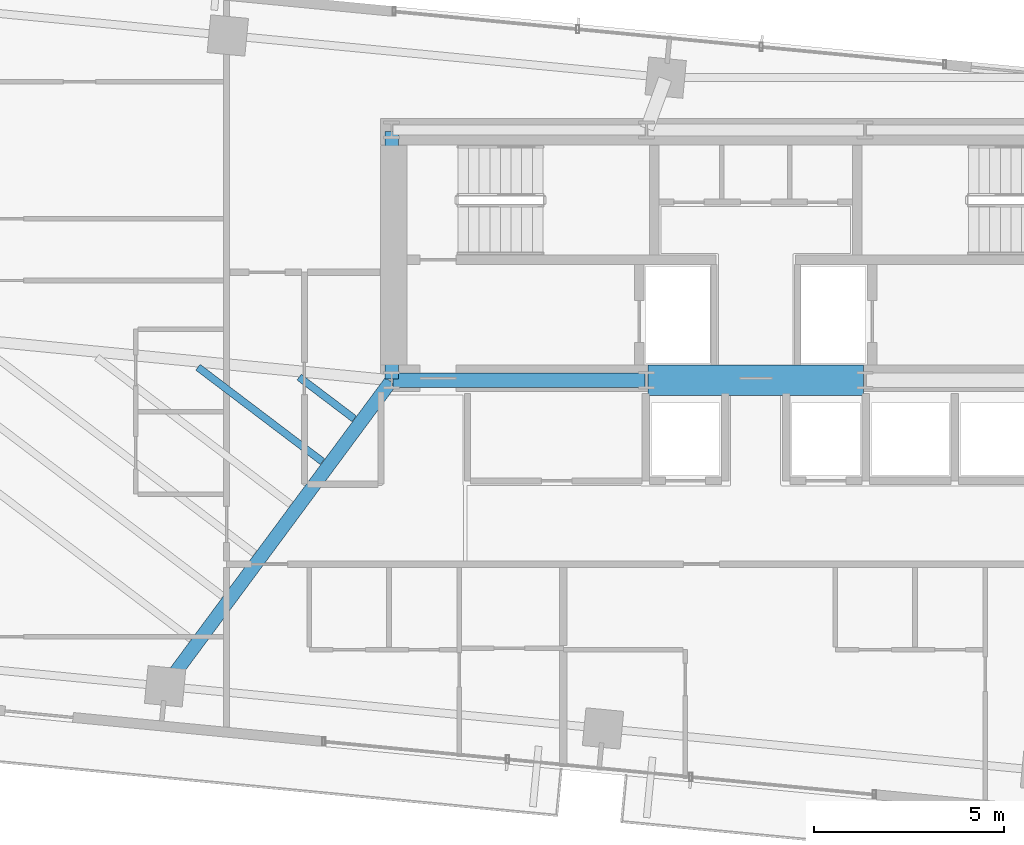
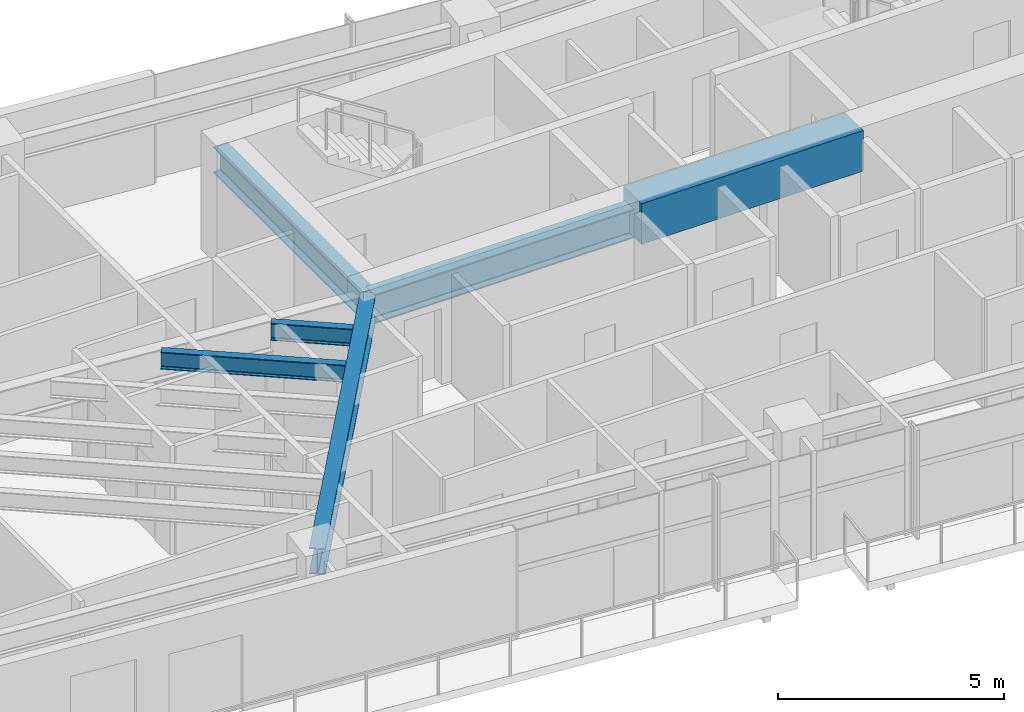
# One storey, part 5 of 19: 6 beams.
"""IFC4 building model written with IfcOpenShell, lengths in metres."""

from ifc_helpers import new_model, si_unit, direction, frame, origin, origin_2d, place, context, subcontext, project, spatial, rectangle, i_section, extrude, source, transform, mapped, material, material_profile, profile_set, type_object, type_shapes, element, save


model = new_model("IFC4")

# Units and contexts
model_context = context("Model", 3, precision=1e-05, world=origin(), true_north=direction((0.0, 1.0)))
body_context = subcontext(model_context, "Body", "Model", "MODEL_VIEW")
ifc_project = project(units=[si_unit("LENGTHUNIT", "METRE"), si_unit("AREAUNIT", "SQUARE_METRE"), si_unit("VOLUMEUNIT", "CUBIC_METRE"), si_unit("PLANEANGLEUNIT", "RADIAN"), si_unit("MASSUNIT", "GRAM", prefix="KILO")], contexts=[model_context])

# Site, building, storey
site_placement = place(None, origin())
site = spatial("IfcSite", under=ifc_project, at=site_placement, CompositionType="ELEMENT")
building_placement = place(site_placement, origin())
building = spatial("IfcBuilding", under=site, at=building_placement, Name="Astriad Promenade Condominiums", CompositionType="ELEMENT")
storey_placement = place(building_placement, frame((0.0, 0.0, 124.60009765625)))
storey = spatial("IfcBuildingStorey", under=building, at=storey_placement, Name="L35", CompositionType="ELEMENT", Elevation=124.60009765625)

# Beams
ifc_material_1 = material(Name="Steel ASTM A992 Grade 50", Category="steel")
ifc_material_profile_1 = material_profile(ifc_material_1, i_section(OverallWidth=0.3837890625, OverallDepth=0.785888671875, WebThickness=0.019775390625, FlangeThickness=0.033447265625, FilletRadius=0.021484375, at=origin_2d()), Name="W30X211")
ifc_profile_set_1 = profile_set([ifc_material_profile_1], Name="Steel ASTM A992 Grade 50")
beam_type_1 = type_object("IfcBeamType", Name="STEEL FLOOR GIRDER W30X211", PredefinedType="BEAM", material=ifc_profile_set_1)
shared_shape_1 = source(origin(), body_context, "Body", "SweptSolid", [
    extrude(i_section(OverallWidth=0.3837890625, OverallDepth=0.785888671875, WebThickness=0.019775390625, FlangeThickness=0.033447265625, FilletRadius=0.021484375, at=origin_2d()), origin(), (0.0, 0.0, 1.0), 6.64013671875),
])
type_shapes(beam_type_1, [shared_shape_1])
beam_1_placement = place(storey_placement, frame((26.43994140625, 17.39990234375, 2.547119140625), z_axis=(1.0, 0.0, 0.0), x_axis=(0.0, 1.0, 0.0)))
element("IfcBeam", 1, at=beam_1_placement, inside=storey, type_object=beam_type_1, Name="Core Ring Beam CG-S1-L35", PredefinedType="BEAM", context=body_context, shape_type="MappedRepresentation", body=[
    mapped(shared_shape_1, transform((0.0, 0.0, 0.0), scale=1.0)),
])
ifc_material_2 = material(Name="Concrete C80/95", Category="concrete")
ifc_material_profile_2 = material_profile(ifc_material_2, rectangle(XDim=0.800048828125, YDim=1.10009765625, at=origin_2d()), Name="RC-BM-800X1100")
ifc_profile_set_2 = profile_set([ifc_material_profile_2], Name="Concrete C80/95")
beam_type_2 = type_object("IfcBeamType", Name="CONCRETE CORE COUPLING LINTEL 800X1100", PredefinedType="LINTEL", material=ifc_profile_set_2)
shared_shape_2 = source(origin(), body_context, "Body", "SweptSolid", [
    extrude(rectangle(XDim=0.800048828125, YDim=1.10009765625, at=origin_2d()), origin(), (0.0, 0.0, 1.0), 5.68017578125),
])
type_shapes(beam_type_2, [shared_shape_2])
beam_2_placement = place(storey_placement, frame((33.159912109375, 17.39990234375, 2.6298828125), z_axis=(1.0, 0.0, 0.0), x_axis=(0.0, 1.0, 0.0)))
element("IfcBeam", 2, at=beam_2_placement, inside=storey, type_object=beam_type_2, Name="Core Ring Beam CG-S2-L35", PredefinedType="LINTEL", context=body_context, shape_type="MappedRepresentation", body=[
    mapped(shared_shape_2, transform((0.0, 0.0, 0.0), scale=1.0)),
])
ifc_material_profile_3 = material_profile(ifc_material_1, i_section(OverallWidth=0.35791015625, OverallDepth=0.706298828125, WebThickness=0.018310546875, FlangeThickness=0.0302734375, FilletRadius=0.020263671875, at=origin_2d()), Name="W27X178")
ifc_profile_set_3 = profile_set([ifc_material_profile_3], Name="Steel ASTM A992 Grade 50")
beam_type_3 = type_object("IfcBeamType", Name="STEEL FLOOR GIRDER W27X178", PredefinedType="BEAM", material=ifc_profile_set_3)
shared_shape_3 = source(origin(), body_context, "Body", "SweptSolid", [
    extrude(i_section(OverallWidth=0.35791015625, OverallDepth=0.706298828125, WebThickness=0.018310546875, FlangeThickness=0.0302734375, FilletRadius=0.020263671875, at=origin_2d()), origin(), (0.0, 0.0, 1.0), 6.52001953125),
])
beam_3_placement = place(storey_placement, frame((26.39990234375, 17.43994140625, 2.586669921875), z_axis=(0.0, 1.0, 0.0), x_axis=(-1.0, 0.0, 0.0)))
element("IfcBeam", 3, at=beam_3_placement, inside=storey, type_object=beam_type_3, Name="Core Ring Beam CG-W1-L35", PredefinedType="BEAM", context=body_context, shape_type="MappedRepresentation", body=[
    mapped(shared_shape_3, transform((0.0, 0.0, 0.0), scale=1.0)),
])
shared_shape_4 = source(origin(), body_context, "Body", "SweptSolid", [
    extrude(i_section(OverallWidth=0.35791015625, OverallDepth=0.706298828125, WebThickness=0.018310546875, FlangeThickness=0.0302734375, FilletRadius=0.020263671875, at=origin_2d()), origin(), (0.0, 0.0, 1.0), 9.958984375),
])
type_shapes(beam_type_3, [shared_shape_3, shared_shape_4])
beam_4_placement = place(storey_placement, frame((20.450927734375, 9.363525390625, 2.586669921875), z_axis=(0.59497542442, 0.803743892255, 0.0), x_axis=(-0.803743892255, 0.59497542442, 0.0)))
element("IfcBeam", 4, at=beam_4_placement, inside=storey, type_object=beam_type_3, Name="Primary Floor Girder PG-W2-L35", PredefinedType="BEAM", context=body_context, shape_type="MappedRepresentation", body=[
    mapped(shared_shape_4, transform((0.0, 0.0, 0.0), scale=1.0)),
])
ifc_material_profile_4 = material_profile(ifc_material_1, i_section(OverallWidth=0.19287109375, OverallDepth=0.466064453125, WebThickness=0.011474609375, FlangeThickness=0.01904296875, FilletRadius=0.01513671875, at=origin_2d()), Name="W18X65")
ifc_profile_set_4 = profile_set([ifc_material_profile_4], Name="Steel ASTM A992 Grade 50")
beam_type_4 = type_object("IfcBeamType", Name="STEEL FLOOR JOIST W18X65", PredefinedType="JOIST", material=ifc_profile_set_4)
shared_shape_5 = source(origin(), body_context, "Body", "SweptSolid", [
    extrude(i_section(OverallWidth=0.19287109375, OverallDepth=0.466064453125, WebThickness=0.011474609375, FlangeThickness=0.01904296875, FilletRadius=0.01513671875, at=origin_2d()), origin(), (0.0, 0.0, 1.0), 4.12109375),
])
beam_5_placement = place(storey_placement, frame((21.292724609375, 17.744140625, 2.706787109375), z_axis=(0.796968568798, -0.604020778077, 0.0), x_axis=(0.604020778077, 0.796968568798, 0.0)))
element("IfcBeam", 5, at=beam_5_placement, inside=storey, type_object=beam_type_4, Name="Secondary Composite Floor Joist JW1-5-L35", PredefinedType="JOIST", context=body_context, shape_type="MappedRepresentation", body=[
    mapped(shared_shape_5, transform((0.0, 0.0, 0.0), scale=1.0)),
])
shared_shape_6 = source(origin(), body_context, "Body", "SweptSolid", [
    extrude(i_section(OverallWidth=0.19287109375, OverallDepth=0.466064453125, WebThickness=0.011474609375, FlangeThickness=0.01904296875, FilletRadius=0.01513671875, at=origin_2d()), origin(), (0.0, 0.0, 1.0), 1.82177734375),
])
type_shapes(beam_type_4, [shared_shape_5, shared_shape_6])
beam_6_placement = place(storey_placement, frame((23.96142578125, 17.48486328125, 2.706787109375), z_axis=(0.796982671853, -0.604002169504, 0.0), x_axis=(0.604002169504, 0.796982671853, 0.0)))
element("IfcBeam", 6, at=beam_6_placement, inside=storey, type_object=beam_type_4, Name="Secondary Composite Floor Joist JW1-6-L35", PredefinedType="JOIST", context=body_context, shape_type="MappedRepresentation", body=[
    mapped(shared_shape_6, transform((0.0, 0.0, 0.0), scale=1.0)),
])

save(model, "model.ifc")
